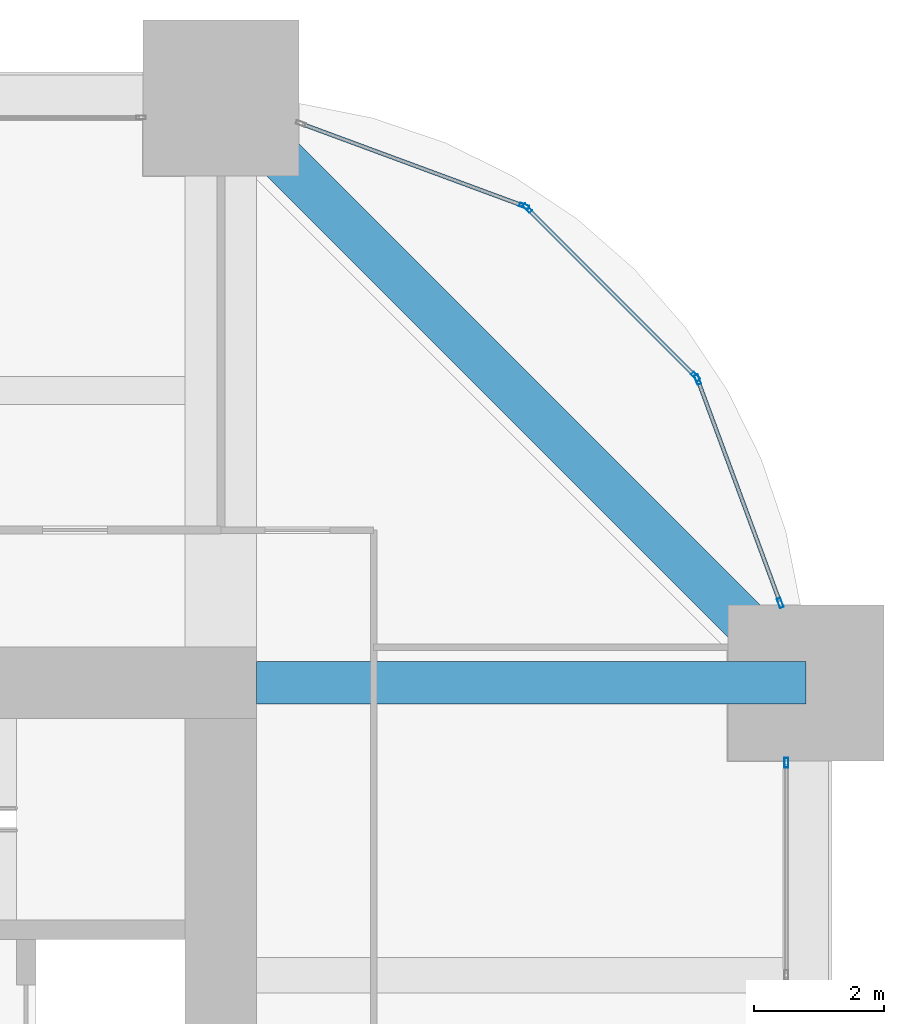
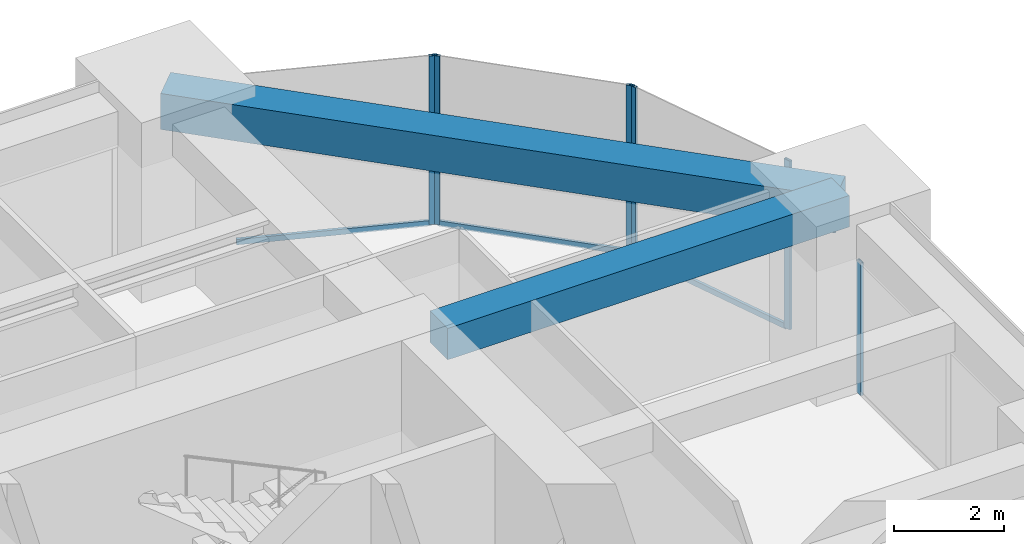
# One storey, part 27 of 34: 9 members, 2 beams, 4 elements without a shape of their own.
"""IFC4 building model written with IfcOpenShell, lengths in metres."""

from ifc_helpers import new_model, si_unit, direction, frame, origin, origin_2d, place, context, subcontext, project, spatial, rectangle, hollow_rectangle, extrude, material, material_profile, profile_set, type_object, element, aggregate, save


model = new_model("IFC4")

# Units and contexts
model_context = context("Model", 3, precision=1e-05, world=origin(), true_north=direction((0.0, 1.0)))
body_context = subcontext(model_context, "Body", "Model", "MODEL_VIEW")
ifc_project = project(units=[si_unit("LENGTHUNIT", "METRE"), si_unit("AREAUNIT", "SQUARE_METRE"), si_unit("VOLUMEUNIT", "CUBIC_METRE"), si_unit("PLANEANGLEUNIT", "RADIAN"), si_unit("MASSUNIT", "GRAM", prefix="KILO")], contexts=[model_context])

# Site, building, storey
site_placement = place(None, origin())
site = spatial("IfcSite", under=ifc_project, at=site_placement, CompositionType="ELEMENT")
building_placement = place(site_placement, origin())
building = spatial("IfcBuilding", under=site, at=building_placement, Name="Zorevar Civic Tower", CompositionType="ELEMENT")
storey_placement = place(building_placement, frame((0.0, 0.0, 170.199951171875)))
storey = spatial("IfcBuildingStorey", under=building, at=storey_placement, Name="L41", CompositionType="ELEMENT", Elevation=170.199951171875)

# Beam
ifc_material_1 = material(Name="Concrete C50/60", Category="concrete")
ifc_material_profile_1 = material_profile(ifc_material_1, rectangle(XDim=0.64990234375, YDim=0.699951171875, at=origin_2d()), Name="RC 650x700")
ifc_profile_set_1 = profile_set([ifc_material_profile_1], Name="Concrete C50/60")
beam_type_1 = type_object("IfcBeamType", Name="Beam RC 650x700", PredefinedType="BEAM", material=ifc_profile_set_1)
beam_1_placement = place(storey_placement, frame((45.550048828125, 36.0, 3.400146484375), z_axis=(1.0, 0.0, 0.0), x_axis=(0.0, 1.0, 0.0)))
element("IfcBeam", 1, at=beam_1_placement, inside=storey, type_object=beam_type_1, Name="Girder L42", PredefinedType="BEAM", context=body_context, shape_type="SweptSolid", body=[
    extrude(rectangle(XDim=0.64990234375, YDim=0.699951171875, at=origin_2d()), origin(), (0.0, 0.0, 1.0), 8.449951171875),
])

# Curtain wall, member
ifc_material_2 = material(Name="Dark grey solar-control glass in black aluminium frame", Category="aluminium")
curtain_wall_type = type_object("IfcCurtainWallType", Name="Curtain wall CW4 high zone", PredefinedType="NOTDEFINED", material=ifc_material_2)
curtain_wall_1_placement = place(storey_placement, origin())
curtain_wall_1 = element("IfcCurtainWall", 2, at=curtain_wall_1_placement, inside=storey, type_object=curtain_wall_type, Name="CW4 L41", PredefinedType="NOTDEFINED")
ifc_material_3 = material(Name="Aluminium, black anodised", Category="aluminium")
ifc_material_profile_2 = material_profile(ifc_material_3, hollow_rectangle(XDim=0.06005859375, YDim=0.14990234375, WallThickness=0.00390625, at=origin_2d()), Name="AL 150x60x4")
ifc_profile_set_2 = profile_set([ifc_material_profile_2], Name="Aluminium, black anodised")
member_type_1 = type_object("IfcMemberType", Name="CW4 mullion AL 150x60x4", PredefinedType="MULLION", material=ifc_profile_set_2)
member_1_placement = place(storey_placement, frame((53.699951171875, 34.77001953125, 0.0), z_axis=(0.0, 0.0, 1.0), x_axis=(-1.0, 0.0, 0.0)))
member_1 = element("IfcMember", 3, at=member_1_placement, type_object=member_type_1, Name="CW4 mullion 3", PredefinedType="MULLION", context=body_context, shape_type="SweptSolid", body=[
    extrude(hollow_rectangle(XDim=0.06005859375, YDim=0.14990234375, WallThickness=0.00390625, at=origin_2d()), origin(), (0.0, 0.0, 1.0), 2.949951171875),
])
aggregate(curtain_wall_1, [member_1])

# Curtain wall, members
curtain_wall_2_placement = place(storey_placement, origin())
curtain_wall_2 = element("IfcCurtainWall", 4, at=curtain_wall_2_placement, inside=storey, type_object=curtain_wall_type, Name="CW4 L41", PredefinedType="NOTDEFINED")
member_2_placement = place(storey_placement, frame((53.6064453125, 37.22802734375, 0.0), z_axis=(0.0, 0.0, 1.0), x_axis=(-0.937974588163, -0.346704012033, 0.0)))
member_2 = element("IfcMember", 5, at=member_2_placement, type_object=member_type_1, Name="CW4 mullion 1", PredefinedType="MULLION", context=body_context, shape_type="SweptSolid", body=[
    extrude(hollow_rectangle(XDim=0.06005859375, YDim=0.14990234375, WallThickness=0.00390625, at=origin_2d()), origin(), (0.0, 0.0, 1.0), 3.75),
])
member_3_placement = place(storey_placement, frame((52.336181640625, 40.66455078125, 0.0), z_axis=(0.0, 0.0, 1.0), x_axis=(-0.937974588163, -0.346704012033, 0.0)))
member_3 = element("IfcMember", 6, at=member_3_placement, type_object=member_type_1, Name="CW4 mullion 2", PredefinedType="MULLION", context=body_context, shape_type="SweptSolid", body=[
    extrude(hollow_rectangle(XDim=0.06005859375, YDim=0.14990234375, WallThickness=0.00390625, at=origin_2d()), origin(), (0.0, 0.0, 1.0), 3.75),
])

curtain_wall_3_placement = place(storey_placement, origin())
curtain_wall_3 = element("IfcCurtainWall", 7, at=curtain_wall_3_placement, inside=storey, type_object=curtain_wall_type, Name="CW4 L41", PredefinedType="NOTDEFINED")
member_4_placement = place(storey_placement, frame((52.3046875, 40.7138671875, 0.0), z_axis=(0.0, 0.0, 1.0), x_axis=(-0.707106781187, -0.707106781187, 0.0)))
member_4 = element("IfcMember", 8, at=member_4_placement, type_object=member_type_1, Name="CW4 mullion 1", PredefinedType="MULLION", context=body_context, shape_type="SweptSolid", body=[
    extrude(hollow_rectangle(XDim=0.06005859375, YDim=0.14990234375, WallThickness=0.00390625, at=origin_2d()), origin(), (0.0, 0.0, 1.0), 3.75),
])
member_5_placement = place(storey_placement, frame((49.7138671875, 43.3046875, 0.0), z_axis=(0.0, 0.0, 1.0), x_axis=(-0.707106781187, -0.707106781187, 0.0)))
member_5 = element("IfcMember", 9, at=member_5_placement, type_object=member_type_1, Name="CW4 mullion 2", PredefinedType="MULLION", context=body_context, shape_type="SweptSolid", body=[
    extrude(hollow_rectangle(XDim=0.06005859375, YDim=0.14990234375, WallThickness=0.00390625, at=origin_2d()), origin(), (0.0, 0.0, 1.0), 3.75),
])

# Curtain wall, member
curtain_wall_4_placement = place(storey_placement, origin())
curtain_wall_4 = element("IfcCurtainWall", 10, at=curtain_wall_4_placement, inside=storey, type_object=curtain_wall_type, Name="CW4 L41", PredefinedType="NOTDEFINED")
member_6_placement = place(storey_placement, frame((49.66455078125, 43.336181640625, 0.0), z_axis=(0.0, 0.0, 1.0), x_axis=(-0.346704012033, -0.937974588163, 0.0)))
member_6 = element("IfcMember", 11, at=member_6_placement, type_object=member_type_1, Name="CW4 mullion 1", PredefinedType="MULLION", context=body_context, shape_type="SweptSolid", body=[
    extrude(hollow_rectangle(XDim=0.06005859375, YDim=0.14990234375, WallThickness=0.00390625, at=origin_2d()), origin(), (0.0, 0.0, 1.0), 3.75),
])

# Member
ifc_material_4 = material(Name="Aluminium, black anodised", Category="aluminium")
ifc_material_profile_3 = material_profile(ifc_material_4, hollow_rectangle(XDim=0.06005859375, YDim=0.1201171875, WallThickness=0.0029296875, at=origin_2d()), Name="AL 120x60x3")
ifc_profile_set_3 = profile_set([ifc_material_profile_3], Name="Aluminium, black anodised")
member_type_2 = type_object("IfcMemberType", Name="CW4 transom AL 120x60x3", PredefinedType="USERDEFINED", material=ifc_profile_set_3)
member_7_placement = place(storey_placement, frame((53.595947265625, 37.25634765625, 0.030029296875), z_axis=(-0.346672169799, 0.93798635741, 0.0), x_axis=(-0.93798635741, -0.346672169799, 0.0)))
member_7 = element("IfcMember", 12, at=member_7_placement, type_object=member_type_2, Name="CW4 sill transom", ObjectType="TRANSOM", PredefinedType="USERDEFINED", context=body_context, shape_type="SweptSolid", body=[
    extrude(hollow_rectangle(XDim=0.06005859375, YDim=0.1201171875, WallThickness=0.0029296875, at=origin_2d()), origin(), (0.0, 0.0, 1.0), 3.603515625),
])

aggregate(curtain_wall_2, [member_2, member_3, member_7])

member_8_placement = place(storey_placement, frame((52.283447265625, 40.735107421875, 0.030029296875), z_axis=(-0.707106781187, 0.707106781187, 0.0), x_axis=(-0.707106781187, -0.707106781187, 0.0)))
member_8 = element("IfcMember", 13, at=member_8_placement, type_object=member_type_2, Name="CW4 sill transom", ObjectType="TRANSOM", PredefinedType="USERDEFINED", context=body_context, shape_type="SweptSolid", body=[
    extrude(hollow_rectangle(XDim=0.06005859375, YDim=0.1201171875, WallThickness=0.0029296875, at=origin_2d()), origin(), (0.0, 0.0, 1.0), 3.60400390625),
])

aggregate(curtain_wall_3, [member_4, member_5, member_8])

member_9_placement = place(storey_placement, frame((49.636474609375, 43.3466796875, 0.030029296875), z_axis=(-0.93798635741, 0.346672169799, 0.0), x_axis=(-0.346672169799, -0.93798635741, 0.0)))
member_9 = element("IfcMember", 14, at=member_9_placement, type_object=member_type_2, Name="CW4 sill transom", ObjectType="TRANSOM", PredefinedType="USERDEFINED", context=body_context, shape_type="SweptSolid", body=[
    extrude(hollow_rectangle(XDim=0.06005859375, YDim=0.1201171875, WallThickness=0.0029296875, at=origin_2d()), origin(), (0.0, 0.0, 1.0), 3.603515625),
])

aggregate(curtain_wall_4, [member_6, member_9])

# Beam
ifc_material_5 = material(Name="Concrete C50/60", Category="concrete")
ifc_material_profile_4 = material_profile(ifc_material_5, rectangle(XDim=0.699951171875, YDim=0.800048828125, at=origin_2d()), Name="RC 700x800")
ifc_profile_set_4 = profile_set([ifc_material_profile_4], Name="Concrete C50/60")
beam_type_2 = type_object("IfcBeamType", Name="Edge beam RC 700x800", PredefinedType="SPANDREL", material=ifc_profile_set_4)
beam_2_placement = place(storey_placement, frame((54.0, 36.0, 3.35009765625), z_axis=(-0.707106781187, 0.707106781187, 0.0), x_axis=(-0.707106781187, -0.707106781187, 0.0)))
element("IfcBeam", 15, at=beam_2_placement, inside=storey, type_object=beam_type_2, Name="Corner edge beam L42", PredefinedType="SPANDREL", context=body_context, shape_type="SweptSolid", body=[
    extrude(rectangle(XDim=0.699951171875, YDim=0.800048828125, at=origin_2d()), origin(), (0.0, 0.0, 1.0), 12.72802734375),
])

save(model, "model.ifc")
